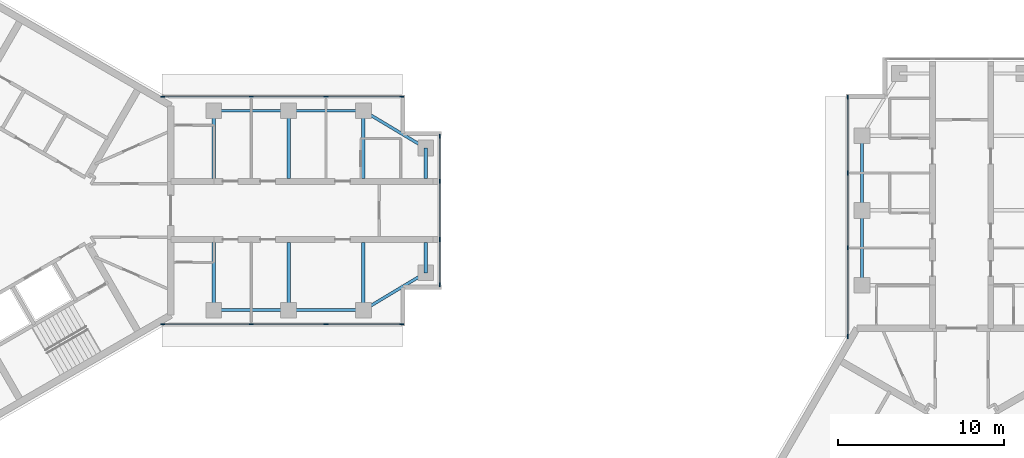
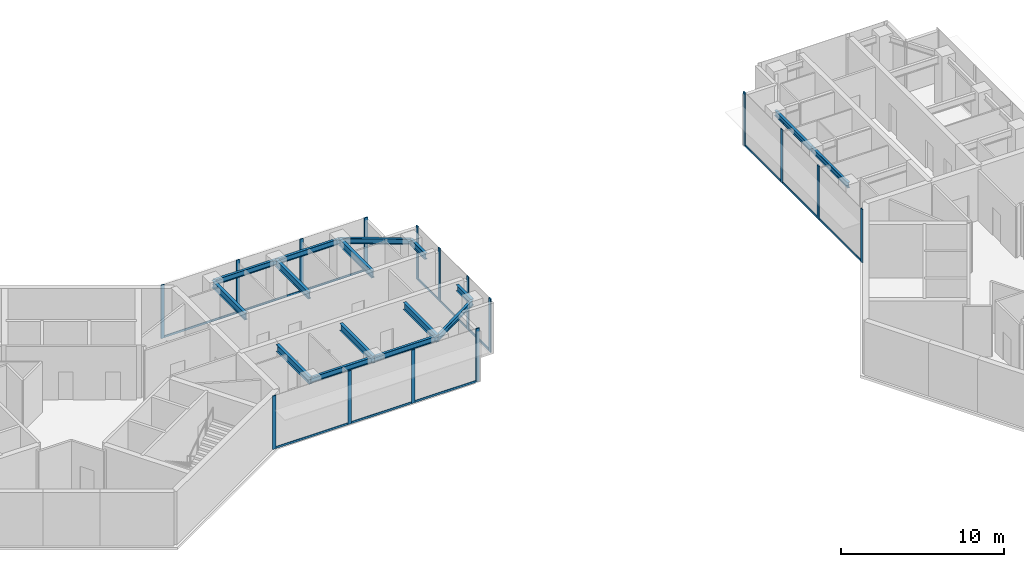
# One storey, part 2 of 11: 28 members, 16 beams, 4 elements without a shape of their own.
"""IFC4 building model written with IfcOpenShell, lengths in metres."""

from ifc_helpers import new_model, si_unit, direction, frame, origin, origin_2d, place, context, subcontext, project, spatial, rectangle, i_section, extrude, material, material_profile, profile_set, type_object, element, aggregate, save


model = new_model("IFC4")

# Units and contexts
model_context = context("Model", 3, precision=1e-05, world=origin(), true_north=direction((0.0, 1.0)))
body_context = subcontext(model_context, "Body", "Model", "MODEL_VIEW")
ifc_project = project(units=[si_unit("LENGTHUNIT", "METRE"), si_unit("AREAUNIT", "SQUARE_METRE"), si_unit("VOLUMEUNIT", "CUBIC_METRE"), si_unit("PLANEANGLEUNIT", "RADIAN"), si_unit("MASSUNIT", "GRAM", prefix="KILO")], contexts=[model_context])

# Site, building, storey
site_placement = place(None, origin())
site = spatial("IfcSite", under=ifc_project, at=site_placement, CompositionType="ELEMENT")
building_placement = place(site_placement, origin())
building = spatial("IfcBuilding", under=site, at=building_placement, Name="Upepo Twin Towers", CompositionType="ELEMENT")
storey_placement = place(building_placement, frame((0.0, 0.0, 267.5)))
storey = spatial("IfcBuildingStorey", under=building, at=storey_placement, Name="L65", CompositionType="ELEMENT", Elevation=267.5)

# Beams
ifc_material_1 = material(Name="Steel S355", Category="steel")
ifc_material_profile_1 = material_profile(ifc_material_1, i_section(OverallWidth=0.177978515625, OverallDepth=0.406494140625, WebThickness=0.0078125, FlangeThickness=0.0126953125, FilletRadius=0.01025390625, at=origin_2d()), Name="UB 406x178x60")
ifc_profile_set_1 = profile_set([ifc_material_profile_1], Name="Steel S355")
beam_type_1 = type_object("IfcBeamType", Name="Beam UB 406x178x60", PredefinedType="BEAM", material=ifc_profile_set_1)
for number, where, z_axis, x_axis, name in (
    (1, (13.5, 6.0, 3.5966796875), (1.0, 0.0, 0.0), (0.0, 1.0, 0.0), "T1 edge beam AL 13.5-18.0"),
    (2, (18.0, 6.0, 3.5966796875), (1.0, 0.0, 0.0), (0.0, 1.0, 0.0), "T1 edge beam AL 18.0-22.5"),
):
    element("IfcBeam", number, at=place(storey_placement, frame(where, z_axis=z_axis, x_axis=x_axis)), inside=storey, type_object=beam_type_1, Name=name, PredefinedType="BEAM", context=body_context, shape_type="SweptSolid", body=[
        extrude(i_section(OverallWidth=0.177978515625, OverallDepth=0.406494140625, WebThickness=0.0078125, FlangeThickness=0.0126953125, FilletRadius=0.01025390625, at=origin_2d()), origin(), (0.0, 0.0, 1.0), 4.5),
    ])
beam_1_placement = place(storey_placement, frame((22.5, 6.0, 3.5966796875), z_axis=(0.857492925713, -0.514495755428, 0.0), x_axis=(0.514495755428, 0.857492925713, 0.0)))
element("IfcBeam", 3, at=beam_1_placement, inside=storey, type_object=beam_type_1, Name="T1 nose edge beam AL", PredefinedType="BEAM", context=body_context, shape_type="SweptSolid", body=[
    extrude(i_section(OverallWidth=0.177978515625, OverallDepth=0.406494140625, WebThickness=0.0078125, FlangeThickness=0.0126953125, FilletRadius=0.01025390625, at=origin_2d()), origin(), (0.0, 0.0, 1.0), 4.373291015625),
])
for number, where, z_axis, x_axis, name in (
    (4, (13.5, -6.0, 3.5966796875), (1.0, 0.0, 0.0), (0.0, 1.0, 0.0), "T1 edge beam AR 13.5-18.0"),
    (5, (18.0, -6.0, 3.5966796875), (1.0, 0.0, 0.0), (0.0, 1.0, 0.0), "T1 edge beam AR 18.0-22.5"),
):
    element("IfcBeam", number, at=place(storey_placement, frame(where, z_axis=z_axis, x_axis=x_axis)), inside=storey, type_object=beam_type_1, Name=name, PredefinedType="BEAM", context=body_context, shape_type="SweptSolid", body=[
        extrude(i_section(OverallWidth=0.177978515625, OverallDepth=0.406494140625, WebThickness=0.0078125, FlangeThickness=0.0126953125, FilletRadius=0.01025390625, at=origin_2d()), origin(), (0.0, 0.0, 1.0), 4.5),
    ])
beam_2_placement = place(storey_placement, frame((22.5, -6.0, 3.5966796875), z_axis=(0.857492925713, 0.514495755428, 0.0), x_axis=(-0.514495755428, 0.857492925713, 0.0)))
element("IfcBeam", 6, at=beam_2_placement, inside=storey, type_object=beam_type_1, Name="T1 nose edge beam AR", PredefinedType="BEAM", context=body_context, shape_type="SweptSolid", body=[
    extrude(i_section(OverallWidth=0.177978515625, OverallDepth=0.406494140625, WebThickness=0.0078125, FlangeThickness=0.0126953125, FilletRadius=0.01025390625, at=origin_2d()), origin(), (0.0, 0.0, 1.0), 4.373291015625),
])
for number, where, z_axis, x_axis, name in (
    (7, (52.5, -4.5, 3.5966796875), (0.0, 1.0, 0.0), (-1.0, 0.0, 0.0), "T2 edge beam AL 13.5-18.0"),
    (8, (52.5, 0.0, 3.5966796875), (0.0, 1.0, 0.0), (-1.0, 0.0, 0.0), "T2 edge beam AL 18.0-22.5"),
):
    element("IfcBeam", number, at=place(storey_placement, frame(where, z_axis=z_axis, x_axis=x_axis)), inside=storey, type_object=beam_type_1, Name=name, PredefinedType="BEAM", context=body_context, shape_type="SweptSolid", body=[
        extrude(i_section(OverallWidth=0.177978515625, OverallDepth=0.406494140625, WebThickness=0.0078125, FlangeThickness=0.0126953125, FilletRadius=0.01025390625, at=origin_2d()), origin(), (0.0, 0.0, 1.0), 4.5),
    ])
ifc_material_2 = material(Name="Steel S355", Category="steel")
ifc_material_profile_2 = material_profile(ifc_material_2, i_section(OverallWidth=0.19140625, OverallDepth=0.4599609375, WebThickness=0.010009765625, FlangeThickness=0.01611328125, FilletRadius=0.01025390625, at=origin_2d()), Name="UB 457x191x82")
ifc_profile_set_2 = profile_set([ifc_material_profile_2], Name="Steel S355")
beam_type_2 = type_object("IfcBeamType", Name="Beam UB 457x191x82", PredefinedType="BEAM", material=ifc_profile_set_2)
for number, where, z_axis, x_axis, name in (
    (9, (26.25, 3.75, 3.570068359375), (0.0, -1.0, 0.0), (1.0, 0.0, 0.0), "T1 nose beam AL"),
    (10, (26.25, -3.75, 3.570068359375), (0.0, 1.0, 0.0), (-1.0, 0.0, 0.0), "T1 nose beam AR"),
):
    element("IfcBeam", number, at=place(storey_placement, frame(where, z_axis=z_axis, x_axis=x_axis)), inside=storey, type_object=beam_type_2, Name=name, PredefinedType="BEAM", context=body_context, shape_type="SweptSolid", body=[
        extrude(i_section(OverallWidth=0.19140625, OverallDepth=0.4599609375, WebThickness=0.010009765625, FlangeThickness=0.01611328125, FilletRadius=0.01025390625, at=origin_2d()), origin(), (0.0, 0.0, 1.0), 1.824951171875),
    ])
ifc_material_3 = material(Name="Steel S355", Category="steel")
ifc_material_profile_3 = material_profile(ifc_material_3, i_section(OverallWidth=0.209228515625, OverallDepth=0.533203125, WebThickness=0.010009765625, FlangeThickness=0.015625, FilletRadius=0.0126953125, at=origin_2d()), Name="UB 533x210x92")
ifc_profile_set_3 = profile_set([ifc_material_profile_3], Name="Steel S355")
beam_type_3 = type_object("IfcBeamType", Name="Beam UB 533x210x92", PredefinedType="BEAM", material=ifc_profile_set_3)
for number, where, z_axis, x_axis, name in (
    (11, (13.5, 6.0, 3.533447265625), (0.0, -1.0, 0.0), (1.0, 0.0, 0.0), "T1 girder AL at 13.5"),
    (12, (18.0, 6.0, 3.533447265625), (0.0, -1.0, 0.0), (1.0, 0.0, 0.0), "T1 girder AL at 18.0"),
    (13, (22.5, 6.0, 3.533447265625), (0.0, -1.0, 0.0), (1.0, 0.0, 0.0), "T1 girder AL at 22.5"),
    (14, (13.5, -6.0, 3.533447265625), (0.0, 1.0, 0.0), (-1.0, 0.0, 0.0), "T1 girder AR at 13.5"),
    (15, (18.0, -6.0, 3.533447265625), (0.0, 1.0, 0.0), (-1.0, 0.0, 0.0), "T1 girder AR at 18.0"),
    (16, (22.5, -6.0, 3.533447265625), (0.0, 1.0, 0.0), (-1.0, 0.0, 0.0), "T1 girder AR at 22.5"),
):
    element("IfcBeam", number, at=place(storey_placement, frame(where, z_axis=z_axis, x_axis=x_axis)), inside=storey, type_object=beam_type_3, Name=name, PredefinedType="BEAM", context=body_context, shape_type="SweptSolid", body=[
        extrude(i_section(OverallWidth=0.209228515625, OverallDepth=0.533203125, WebThickness=0.010009765625, FlangeThickness=0.015625, FilletRadius=0.0126953125, at=origin_2d()), origin(), (0.0, 0.0, 1.0), 4.074951171875),
    ])

# Curtain wall, members
ifc_material_4 = material(Name="Aluminium and fritted glass", Category="aluminium")
curtain_wall_type = type_object("IfcCurtainWallType", Name="Tower curtain wall TW4, fritted glass", PredefinedType="NOTDEFINED", material=ifc_material_4)
curtain_wall_1_placement = place(storey_placement, origin())
curtain_wall_1 = element("IfcCurtainWall", 17, at=curtain_wall_1_placement, inside=storey, type_object=curtain_wall_type, Name="T1 L65 wing A flank L curtain wall", PredefinedType="NOTDEFINED")
ifc_material_5 = material(Name="Aluminium mullion", Category="aluminium")
ifc_material_profile_4 = material_profile(ifc_material_5, rectangle(XDim=0.06494140625, YDim=0.25, at=origin_2d()), Name="MULLION 65x250")
ifc_profile_set_4 = profile_set([ifc_material_profile_4], Name="Aluminium mullion")
member_type_1 = type_object("IfcMemberType", Name="Mullion 65x250 TW4", PredefinedType="MULLION", material=ifc_profile_set_4)
member_1_placement = place(storey_placement, frame((10.419677734375, 6.85009765625, 0.0), z_axis=(0.0, 0.0, 1.0), x_axis=(0.0, 1.0, 0.0)))
member_1 = element("IfcMember", 18, at=member_1_placement, type_object=member_type_1, Name="T1 L65 wing A flank L curtain wall mullion 1", PredefinedType="MULLION", context=body_context, shape_type="SweptSolid", body=[
    extrude(rectangle(XDim=0.06494140625, YDim=0.25, at=origin_2d()), origin(), (0.0, 0.0, 1.0), 4.0),
])
member_2_placement = place(storey_placement, frame((15.75, 6.85009765625, 0.0), z_axis=(0.0, 0.0, 1.0), x_axis=(0.0, 1.0, 0.0)))
member_2 = element("IfcMember", 19, at=member_2_placement, type_object=member_type_1, Name="T1 L65 wing A flank L curtain wall mullion 2", PredefinedType="MULLION", context=body_context, shape_type="SweptSolid", body=[
    extrude(rectangle(XDim=0.06494140625, YDim=0.25, at=origin_2d()), origin(), (0.0, 0.0, 1.0), 4.0),
])
member_3_placement = place(storey_placement, frame((20.25, 6.85009765625, 0.0), z_axis=(0.0, 0.0, 1.0), x_axis=(0.0, 1.0, 0.0)))
member_3 = element("IfcMember", 20, at=member_3_placement, type_object=member_type_1, Name="T1 L65 wing A flank L curtain wall mullion 3", PredefinedType="MULLION", context=body_context, shape_type="SweptSolid", body=[
    extrude(rectangle(XDim=0.06494140625, YDim=0.25, at=origin_2d()), origin(), (0.0, 0.0, 1.0), 4.0),
])
member_4_placement = place(storey_placement, frame((24.8173828125, 6.85009765625, 0.0), z_axis=(0.0, 0.0, 1.0), x_axis=(0.0, 1.0, 0.0)))
member_4 = element("IfcMember", 21, at=member_4_placement, type_object=member_type_1, Name="T1 L65 wing A flank L curtain wall mullion 4", PredefinedType="MULLION", context=body_context, shape_type="SweptSolid", body=[
    extrude(rectangle(XDim=0.06494140625, YDim=0.25, at=origin_2d()), origin(), (0.0, 0.0, 1.0), 4.0),
])

curtain_wall_2_placement = place(storey_placement, origin())
curtain_wall_2 = element("IfcCurtainWall", 22, at=curtain_wall_2_placement, inside=storey, type_object=curtain_wall_type, Name="T1 L65 wing A flank R curtain wall", PredefinedType="NOTDEFINED")
member_5_placement = place(storey_placement, frame((24.8173828125, -6.85009765625, 0.0), z_axis=(0.0, 0.0, 1.0), x_axis=(0.0, -1.0, 0.0)))
member_5 = element("IfcMember", 23, at=member_5_placement, type_object=member_type_1, Name="T1 L65 wing A flank R curtain wall mullion 1", PredefinedType="MULLION", context=body_context, shape_type="SweptSolid", body=[
    extrude(rectangle(XDim=0.06494140625, YDim=0.25, at=origin_2d()), origin(), (0.0, 0.0, 1.0), 4.0),
])
member_6_placement = place(storey_placement, frame((20.25, -6.85009765625, 0.0), z_axis=(0.0, 0.0, 1.0), x_axis=(0.0, -1.0, 0.0)))
member_6 = element("IfcMember", 24, at=member_6_placement, type_object=member_type_1, Name="T1 L65 wing A flank R curtain wall mullion 2", PredefinedType="MULLION", context=body_context, shape_type="SweptSolid", body=[
    extrude(rectangle(XDim=0.06494140625, YDim=0.25, at=origin_2d()), origin(), (0.0, 0.0, 1.0), 4.0),
])
member_7_placement = place(storey_placement, frame((15.75, -6.85009765625, 0.0), z_axis=(0.0, 0.0, 1.0), x_axis=(0.0, -1.0, 0.0)))
member_7 = element("IfcMember", 25, at=member_7_placement, type_object=member_type_1, Name="T1 L65 wing A flank R curtain wall mullion 3", PredefinedType="MULLION", context=body_context, shape_type="SweptSolid", body=[
    extrude(rectangle(XDim=0.06494140625, YDim=0.25, at=origin_2d()), origin(), (0.0, 0.0, 1.0), 4.0),
])
member_8_placement = place(storey_placement, frame((10.419677734375, -6.85009765625, 0.0), z_axis=(0.0, 0.0, 1.0), x_axis=(0.0, -1.0, 0.0)))
member_8 = element("IfcMember", 26, at=member_8_placement, type_object=member_type_1, Name="T1 L65 wing A flank R curtain wall mullion 4", PredefinedType="MULLION", context=body_context, shape_type="SweptSolid", body=[
    extrude(rectangle(XDim=0.06494140625, YDim=0.25, at=origin_2d()), origin(), (0.0, 0.0, 1.0), 4.0),
])

curtain_wall_3_placement = place(storey_placement, origin())
curtain_wall_3 = element("IfcCurtainWall", 27, at=curtain_wall_3_placement, inside=storey, type_object=curtain_wall_type, Name="T1 L65 wing A nose curtain wall", PredefinedType="NOTDEFINED")
member_9_placement = place(storey_placement, frame((27.10009765625, -4.467529296875, 0.0), z_axis=(0.0, 0.0, 1.0), x_axis=(-1.0, 0.0, 0.0)))
member_9 = element("IfcMember", 28, at=member_9_placement, type_object=member_type_1, Name="T1 L65 wing A nose curtain wall mullion 1", PredefinedType="MULLION", context=body_context, shape_type="SweptSolid", body=[
    extrude(rectangle(XDim=0.06494140625, YDim=0.25, at=origin_2d()), origin(), (0.0, 0.0, 1.0), 4.0),
])
member_10_placement = place(storey_placement, frame((27.10009765625, -1.75, 0.0), z_axis=(0.0, 0.0, 1.0), x_axis=(-1.0, 0.0, 0.0)))
member_10 = element("IfcMember", 29, at=member_10_placement, type_object=member_type_1, Name="T1 L65 wing A nose curtain wall mullion 2", PredefinedType="MULLION", context=body_context, shape_type="SweptSolid", body=[
    extrude(rectangle(XDim=0.06494140625, YDim=0.25, at=origin_2d()), origin(), (0.0, 0.0, 1.0), 4.0),
])
member_11_placement = place(storey_placement, frame((27.10009765625, 1.75, 0.0), z_axis=(0.0, 0.0, 1.0), x_axis=(-1.0, 0.0, 0.0)))
member_11 = element("IfcMember", 30, at=member_11_placement, type_object=member_type_1, Name="T1 L65 wing A nose curtain wall mullion 3", PredefinedType="MULLION", context=body_context, shape_type="SweptSolid", body=[
    extrude(rectangle(XDim=0.06494140625, YDim=0.25, at=origin_2d()), origin(), (0.0, 0.0, 1.0), 4.0),
])
member_12_placement = place(storey_placement, frame((27.10009765625, 4.467529296875, 0.0), z_axis=(0.0, 0.0, 1.0), x_axis=(-1.0, 0.0, 0.0)))
member_12 = element("IfcMember", 31, at=member_12_placement, type_object=member_type_1, Name="T1 L65 wing A nose curtain wall mullion 4", PredefinedType="MULLION", context=body_context, shape_type="SweptSolid", body=[
    extrude(rectangle(XDim=0.06494140625, YDim=0.25, at=origin_2d()), origin(), (0.0, 0.0, 1.0), 4.0),
])

curtain_wall_4_placement = place(storey_placement, origin())
curtain_wall_4 = element("IfcCurtainWall", 32, at=curtain_wall_4_placement, inside=storey, type_object=curtain_wall_type, Name="T2 L65 wing A flank L curtain wall", PredefinedType="NOTDEFINED")
member_13_placement = place(storey_placement, frame((51.64990234375, -7.580322265625, 0.0), z_axis=(0.0, 0.0, 1.0), x_axis=(-1.0, 0.0, 0.0)))
member_13 = element("IfcMember", 33, at=member_13_placement, type_object=member_type_1, Name="T2 L65 wing A flank L curtain wall mullion 1", PredefinedType="MULLION", context=body_context, shape_type="SweptSolid", body=[
    extrude(rectangle(XDim=0.06494140625, YDim=0.25, at=origin_2d()), origin(), (0.0, 0.0, 1.0), 4.0),
])
member_14_placement = place(storey_placement, frame((51.64990234375, -2.25, 0.0), z_axis=(0.0, 0.0, 1.0), x_axis=(-1.0, 0.0, 0.0)))
member_14 = element("IfcMember", 34, at=member_14_placement, type_object=member_type_1, Name="T2 L65 wing A flank L curtain wall mullion 2", PredefinedType="MULLION", context=body_context, shape_type="SweptSolid", body=[
    extrude(rectangle(XDim=0.06494140625, YDim=0.25, at=origin_2d()), origin(), (0.0, 0.0, 1.0), 4.0),
])
member_15_placement = place(storey_placement, frame((51.64990234375, 2.25, 0.0), z_axis=(0.0, 0.0, 1.0), x_axis=(-1.0, 0.0, 0.0)))
member_15 = element("IfcMember", 35, at=member_15_placement, type_object=member_type_1, Name="T2 L65 wing A flank L curtain wall mullion 3", PredefinedType="MULLION", context=body_context, shape_type="SweptSolid", body=[
    extrude(rectangle(XDim=0.06494140625, YDim=0.25, at=origin_2d()), origin(), (0.0, 0.0, 1.0), 4.0),
])
member_16_placement = place(storey_placement, frame((51.64990234375, 6.8173828125, 0.0), z_axis=(0.0, 0.0, 1.0), x_axis=(-1.0, 0.0, 0.0)))
member_16 = element("IfcMember", 36, at=member_16_placement, type_object=member_type_1, Name="T2 L65 wing A flank L curtain wall mullion 4", PredefinedType="MULLION", context=body_context, shape_type="SweptSolid", body=[
    extrude(rectangle(XDim=0.06494140625, YDim=0.25, at=origin_2d()), origin(), (0.0, 0.0, 1.0), 4.0),
])

# Member
ifc_material_6 = material(Name="Aluminium transom", Category="aluminium")
ifc_material_profile_5 = material_profile(ifc_material_6, rectangle(XDim=0.06494140625, YDim=0.14990234375, at=origin_2d()), Name="TRANSOM 65x150")
ifc_profile_set_5 = profile_set([ifc_material_profile_5], Name="Aluminium transom")
member_type_2 = type_object("IfcMemberType", Name="Transom 65x150 TW4", PredefinedType="USERDEFINED", material=ifc_profile_set_5)
member_17_placement = place(storey_placement, frame((10.4521484375, 6.85009765625, 0.074951171875), z_axis=(1.0, 0.0, 0.0), x_axis=(0.0, 1.0, 0.0)))
member_17 = element("IfcMember", 37, at=member_17_placement, type_object=member_type_2, Name="T1 L65 wing A flank L curtain wall transom 1", ObjectType="TRANSOM", PredefinedType="USERDEFINED", context=body_context, shape_type="SweptSolid", body=[
    extrude(rectangle(XDim=0.06494140625, YDim=0.14990234375, at=origin_2d()), origin(), (0.0, 0.0, 1.0), 5.265380859375),
])

member_18_placement = place(storey_placement, frame((15.782470703125, 6.85009765625, 0.074951171875), z_axis=(1.0, 0.0, 0.0), x_axis=(0.0, 1.0, 0.0)))
member_18 = element("IfcMember", 38, at=member_18_placement, type_object=member_type_2, Name="T1 L65 wing A flank L curtain wall transom 2", ObjectType="TRANSOM", PredefinedType="USERDEFINED", context=body_context, shape_type="SweptSolid", body=[
    extrude(rectangle(XDim=0.06494140625, YDim=0.14990234375, at=origin_2d()), origin(), (0.0, 0.0, 1.0), 4.43505859375),
])

member_19_placement = place(storey_placement, frame((20.282470703125, 6.85009765625, 0.074951171875), z_axis=(1.0, 0.0, 0.0), x_axis=(0.0, 1.0, 0.0)))
member_19 = element("IfcMember", 39, at=member_19_placement, type_object=member_type_2, Name="T1 L65 wing A flank L curtain wall transom 3", ObjectType="TRANSOM", PredefinedType="USERDEFINED", context=body_context, shape_type="SweptSolid", body=[
    extrude(rectangle(XDim=0.06494140625, YDim=0.14990234375, at=origin_2d()), origin(), (0.0, 0.0, 1.0), 4.50244140625),
])

aggregate(curtain_wall_1, [member_1, member_2, member_3, member_4, member_17, member_18, member_19])

member_20_placement = place(storey_placement, frame((24.784912109375, -6.85009765625, 0.074951171875), z_axis=(-1.0, 0.0, 0.0), x_axis=(0.0, -1.0, 0.0)))
member_20 = element("IfcMember", 40, at=member_20_placement, type_object=member_type_2, Name="T1 L65 wing A flank R curtain wall transom 1", ObjectType="TRANSOM", PredefinedType="USERDEFINED", context=body_context, shape_type="SweptSolid", body=[
    extrude(rectangle(XDim=0.06494140625, YDim=0.14990234375, at=origin_2d()), origin(), (0.0, 0.0, 1.0), 4.50244140625),
])

member_21_placement = place(storey_placement, frame((20.217529296875, -6.85009765625, 0.074951171875), z_axis=(-1.0, 0.0, 0.0), x_axis=(0.0, -1.0, 0.0)))
member_21 = element("IfcMember", 41, at=member_21_placement, type_object=member_type_2, Name="T1 L65 wing A flank R curtain wall transom 2", ObjectType="TRANSOM", PredefinedType="USERDEFINED", context=body_context, shape_type="SweptSolid", body=[
    extrude(rectangle(XDim=0.06494140625, YDim=0.14990234375, at=origin_2d()), origin(), (0.0, 0.0, 1.0), 4.43505859375),
])

member_22_placement = place(storey_placement, frame((15.717529296875, -6.85009765625, 0.074951171875), z_axis=(-1.0, 0.0, 0.0), x_axis=(0.0, -1.0, 0.0)))
member_22 = element("IfcMember", 42, at=member_22_placement, type_object=member_type_2, Name="T1 L65 wing A flank R curtain wall transom 3", ObjectType="TRANSOM", PredefinedType="USERDEFINED", context=body_context, shape_type="SweptSolid", body=[
    extrude(rectangle(XDim=0.06494140625, YDim=0.14990234375, at=origin_2d()), origin(), (0.0, 0.0, 1.0), 5.265380859375),
])

aggregate(curtain_wall_2, [member_5, member_6, member_7, member_8, member_20, member_21, member_22])

member_23_placement = place(storey_placement, frame((27.10009765625, -4.43505859375, 0.074951171875), z_axis=(0.0, 1.0, 0.0), x_axis=(-1.0, 0.0, 0.0)))
member_23 = element("IfcMember", 43, at=member_23_placement, type_object=member_type_2, Name="T1 L65 wing A nose curtain wall transom 1", ObjectType="TRANSOM", PredefinedType="USERDEFINED", context=body_context, shape_type="SweptSolid", body=[
    extrude(rectangle(XDim=0.06494140625, YDim=0.14990234375, at=origin_2d()), origin(), (0.0, 0.0, 1.0), 2.652587890625),
])

member_24_placement = place(storey_placement, frame((27.10009765625, -1.717529296875, 0.074951171875), z_axis=(0.0, 1.0, 0.0), x_axis=(-1.0, 0.0, 0.0)))
member_24 = element("IfcMember", 44, at=member_24_placement, type_object=member_type_2, Name="T1 L65 wing A nose curtain wall transom 2", ObjectType="TRANSOM", PredefinedType="USERDEFINED", context=body_context, shape_type="SweptSolid", body=[
    extrude(rectangle(XDim=0.06494140625, YDim=0.14990234375, at=origin_2d()), origin(), (0.0, 0.0, 1.0), 3.43505859375),
])

member_25_placement = place(storey_placement, frame((27.10009765625, 1.782470703125, 0.074951171875), z_axis=(0.0, 1.0, 0.0), x_axis=(-1.0, 0.0, 0.0)))
member_25 = element("IfcMember", 45, at=member_25_placement, type_object=member_type_2, Name="T1 L65 wing A nose curtain wall transom 3", ObjectType="TRANSOM", PredefinedType="USERDEFINED", context=body_context, shape_type="SweptSolid", body=[
    extrude(rectangle(XDim=0.06494140625, YDim=0.14990234375, at=origin_2d()), origin(), (0.0, 0.0, 1.0), 2.652587890625),
])

aggregate(curtain_wall_3, [member_9, member_10, member_11, member_12, member_23, member_24, member_25])

member_26_placement = place(storey_placement, frame((51.64990234375, -7.5478515625, 0.074951171875), z_axis=(0.0, 1.0, 0.0), x_axis=(-1.0, 0.0, 0.0)))
member_26 = element("IfcMember", 46, at=member_26_placement, type_object=member_type_2, Name="T2 L65 wing A flank L curtain wall transom 1", ObjectType="TRANSOM", PredefinedType="USERDEFINED", context=body_context, shape_type="SweptSolid", body=[
    extrude(rectangle(XDim=0.06494140625, YDim=0.14990234375, at=origin_2d()), origin(), (0.0, 0.0, 1.0), 5.265380859375),
])

member_27_placement = place(storey_placement, frame((51.64990234375, -2.217529296875, 0.074951171875), z_axis=(0.0, 1.0, 0.0), x_axis=(-1.0, 0.0, 0.0)))
member_27 = element("IfcMember", 47, at=member_27_placement, type_object=member_type_2, Name="T2 L65 wing A flank L curtain wall transom 2", ObjectType="TRANSOM", PredefinedType="USERDEFINED", context=body_context, shape_type="SweptSolid", body=[
    extrude(rectangle(XDim=0.06494140625, YDim=0.14990234375, at=origin_2d()), origin(), (0.0, 0.0, 1.0), 4.43505859375),
])

member_28_placement = place(storey_placement, frame((51.64990234375, 2.282470703125, 0.074951171875), z_axis=(0.0, 1.0, 0.0), x_axis=(-1.0, 0.0, 0.0)))
member_28 = element("IfcMember", 48, at=member_28_placement, type_object=member_type_2, Name="T2 L65 wing A flank L curtain wall transom 3", ObjectType="TRANSOM", PredefinedType="USERDEFINED", context=body_context, shape_type="SweptSolid", body=[
    extrude(rectangle(XDim=0.06494140625, YDim=0.14990234375, at=origin_2d()), origin(), (0.0, 0.0, 1.0), 4.50244140625),
])

aggregate(curtain_wall_4, [member_13, member_14, member_15, member_16, member_26, member_27, member_28])

save(model, "model.ifc")
